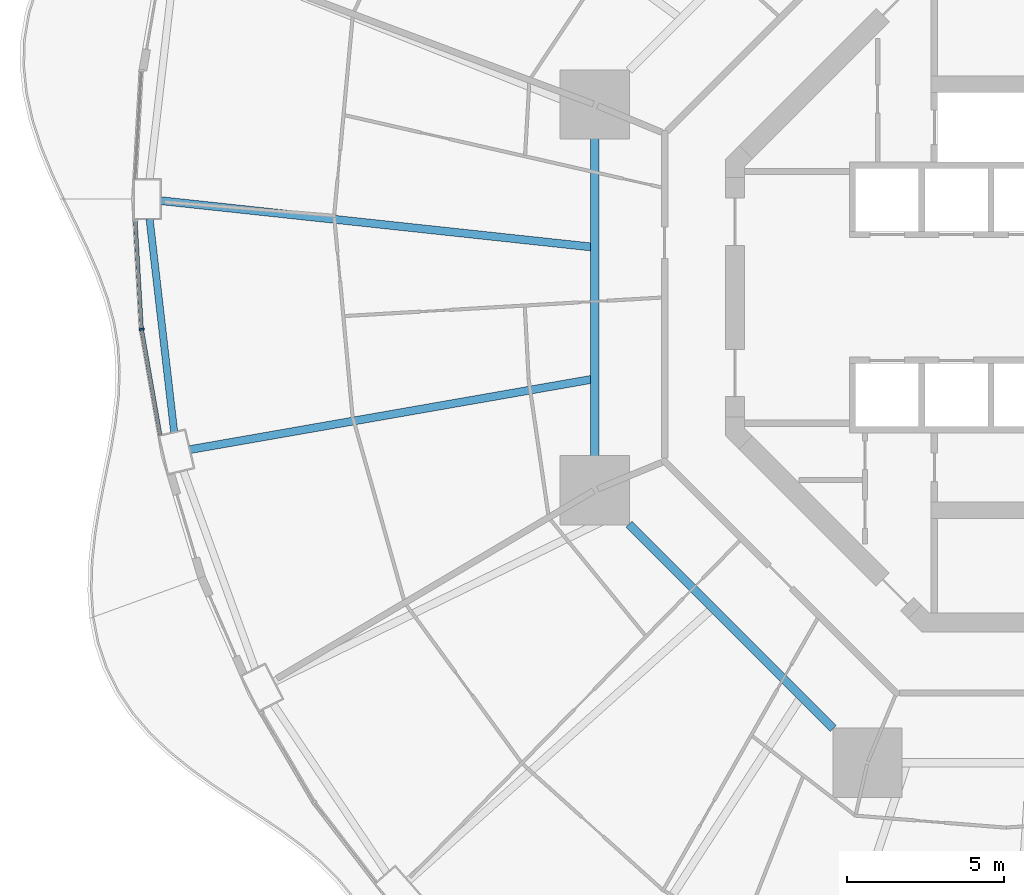
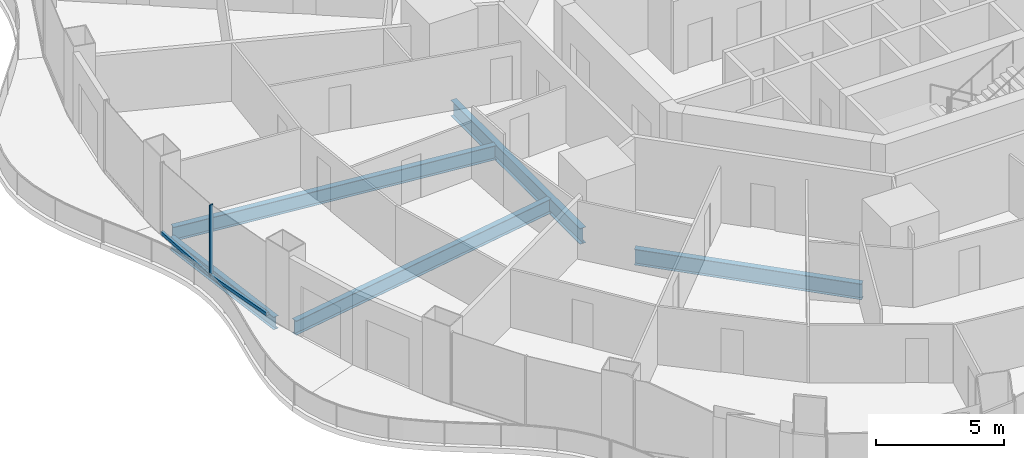
# One storey, part 4 of 22: 5 beams, 3 members, 2 elements without a shape of their own.
"""IFC4 building model written with IfcOpenShell, lengths in metres."""

import ifcopenshell
import ifcopenshell.guid

model = None  # the IFC model being written
_history = None  # IfcOwnerHistory: only IFC2X3 demands one
_inside = {}  # id of a spatial element -> (the spatial element, [elements in it])
_under = {}  # id of a project, library or spatial element -> (it, [spatial elements below it])
_declared = {}  # id of a project -> (the project, [libraries it declares])
_typed = {}  # id of a type object -> (the type object, [elements of that type])
_made_of = {}  # id of a material, layer set ... -> (it, [elements and type objects made of it])


def new_model(schema):
    """Start an empty IFC model of exactly this schema.

    Asked for "IFC4X3", IfcOpenShell would pick the latest addendum, in which some entities
    have other attributes; the version numbers below select the first issue.
    IFC2X3 requires an IfcOwnerHistory on every rooted entity: one is made here for all.
    """
    global model, _history
    if schema == "IFC4X3":
        model = ifcopenshell.file(schema_version=(4, 3, 0, 0))
    else:
        model = ifcopenshell.file(schema=schema)
    _inside.clear()
    _under.clear()
    _declared.clear()
    _typed.clear()
    _made_of.clear()
    _history = None
    if model.schema == "IFC2X3":
        org = make("IfcOrganization", Name="unknown")
        user = make(
            "IfcPersonAndOrganization",
            ThePerson=make("IfcPerson", FamilyName="unknown"),
            TheOrganization=org,
        )
        app = make(
            "IfcApplication",
            ApplicationDeveloper=org,
            Version="unknown",
            ApplicationFullName="unknown",
            ApplicationIdentifier="unknown",
        )
        _history = make(
            "IfcOwnerHistory",
            OwningUser=user,
            OwningApplication=app,
            ChangeAction="ADDED",
            CreationDate=0,
        )
    return model


def make(cls, **values):
    """One entity of the class cls with the attributes given. An attribute that is None is left unset."""
    return model.create_entity(
        cls, **{name: value for name, value in values.items() if value is not None}
    )


def rooted(cls, **values):
    """An entity with a GlobalId (a new one), such as an element, a storey or a relation."""
    return make(cls, GlobalId=ifcopenshell.guid.new(), OwnerHistory=_history, **values)


def si_unit(unit_type, name, prefix=None):
    """IfcSIUnit, for example si_unit("LENGTHUNIT", "METRE", prefix="MILLI")."""
    return make("IfcSIUnit", UnitType=unit_type, Prefix=prefix, Name=name)


def assignment(units):
    """IfcUnitAssignment: the units of a project."""
    return None if units is None else make("IfcUnitAssignment", Units=units)


def point(xyz):
    """IfcCartesianPoint."""
    return None if xyz is None else make("IfcCartesianPoint", Coordinates=xyz)


def direction(xyz):
    """IfcDirection."""
    return None if xyz is None else make("IfcDirection", DirectionRatios=xyz)


def frame(location, z_axis=None, x_axis=None):
    """IfcAxis2Placement3D, a coordinate frame: its origin and axes. An axis left out is left unset."""
    return make(
        "IfcAxis2Placement3D",
        Location=point(location),
        Axis=direction(z_axis),
        RefDirection=direction(x_axis),
    )


def frame_2d(location, x_axis=None):
    """IfcAxis2Placement2D, a coordinate frame in the plane: its origin and x axis."""
    return make(
        "IfcAxis2Placement2D", Location=point(location), RefDirection=direction(x_axis)
    )


def origin():
    """The frame at (0, 0, 0) with its axes left unset."""
    return frame((0.0, 0.0, 0.0))


def origin_2d():
    """The frame at (0, 0) in the plane with its x axis left unset."""
    return frame_2d((0.0, 0.0))


def place(relative_to, where):
    """IfcLocalPlacement: puts the frame where relative to a parent placement (None: the world)."""
    return make(
        "IfcLocalPlacement", PlacementRelTo=relative_to, RelativePlacement=where
    )


def context(
    kind, dimensions, precision=None, world=None, true_north=None, identifier=None
):
    """IfcGeometricRepresentationContext, for example the 3D "Model" context."""
    return make(
        "IfcGeometricRepresentationContext",
        ContextIdentifier=identifier,
        ContextType=kind,
        CoordinateSpaceDimension=dimensions,
        Precision=precision,
        WorldCoordinateSystem=world,
        TrueNorth=true_north,
    )


def subcontext(parent, identifier, kind, view, scale=None):
    """IfcGeometricRepresentationSubContext, for example "Body" below "Model"."""
    return make(
        "IfcGeometricRepresentationSubContext",
        ContextIdentifier=identifier,
        ContextType=kind,
        ParentContext=parent,
        TargetScale=scale,
        TargetView=view,
    )


def project(units=None, contexts=None):
    """IfcProject with its units and contexts."""
    return rooted(
        "IfcProject",
        Name="project",
        RepresentationContexts=contexts,
        UnitsInContext=assignment(units),
    )


def spatial(cls, under=None, at=None, **own):
    """A site, building, storey or space (cls), placed at a placement, below another one or the project."""
    s = rooted(cls, ObjectPlacement=at, **own)
    if under is not None:
        _under.setdefault(under.id(), (under, []))[1].append(s)
    return s


def profile(cls, at=None, kind="AREA", **sizes):
    """A parametric profile (cls). Its sizes go by their IFC names, for example OverallWidth=200.0."""
    return make(cls, ProfileType=kind, Position=at, **sizes)


def rectangle(**sizes):
    """IfcRectangleProfileDef."""
    return profile("IfcRectangleProfileDef", **sizes)


def i_section(**sizes):
    """IfcIShapeProfileDef."""
    return profile("IfcIShapeProfileDef", **sizes)


def extrude(swept, where, along, depth):
    """IfcExtrudedAreaSolid: the profile swept, set in the frame where, extruded along a direction by depth."""
    return make(
        "IfcExtrudedAreaSolid",
        SweptArea=swept,
        Position=where,
        ExtrudedDirection=direction(along),
        Depth=depth,
    )


def shape(context_of_items, identifier, shape_type, items):
    """IfcShapeRepresentation: the items that make up one representation, for example the "Body"."""
    return make(
        "IfcShapeRepresentation",
        ContextOfItems=context_of_items,
        RepresentationIdentifier=identifier,
        RepresentationType=shape_type,
        Items=items,
    )


def material(Name=None, Category=None):
    """IfcMaterial."""
    return make("IfcMaterial", Name=Name, Category=Category)


def layer(
    of_material, thickness, ventilated=None, Name=None, Category=None, Priority=None
):
    """IfcMaterialLayer: one layer of a wall or slab, of a material (None: an air gap)."""
    return make(
        "IfcMaterialLayer",
        Material=of_material,
        LayerThickness=thickness,
        IsVentilated=ventilated,
        Name=Name,
        Category=Category,
        Priority=Priority,
    )


def layer_set(layers, Name=None):
    """IfcMaterialLayerSet."""
    return make("IfcMaterialLayerSet", MaterialLayers=layers, LayerSetName=Name)


def material_profile(
    of_material, cross_section, Name=None, Category=None, Priority=None
):
    """IfcMaterialProfile: a cross section and its material."""
    return make(
        "IfcMaterialProfile",
        Name=Name,
        Material=of_material,
        Profile=cross_section,
        Priority=Priority,
        Category=Category,
    )


def profile_set(profiles, Name=None, composite=None):
    """IfcMaterialProfileSet."""
    return make(
        "IfcMaterialProfileSet",
        Name=Name,
        MaterialProfiles=profiles,
        CompositeProfile=composite,
    )


def made_of(thing, what):
    """Note that an element or type object is made of a material, layer set ...; save() writes the relation."""
    if what is not None:
        _made_of.setdefault(what.id(), (what, []))[1].append(thing)
    return thing


def type_object(cls, material=None, **own):
    """A type object (cls), such as IfcWallType, which elements share."""
    return made_of(rooted(cls, **own), material)


def element(
    cls,
    number,
    at=None,
    inside=None,
    cuts=None,
    type_object=None,
    material=None,
    context=None,
    identifier="Body",
    shape_type=None,
    held_by="IfcProductDefinitionShape",
    body=None,
    shapes=None,
    **own,
):
    """One element of the class cls, such as IfcWall. Its Tag is "e" and its number.

    at: its placement. inside: the storey or other place that contains it. cuts: it is an
    opening in that element (IfcRelVoidsElement). A single representation is given by context,
    identifier, shape_type and body (its items); several are given by shapes. held_by: the class
    of the entity that holds the representations. save() writes the other relations.
    """
    e = rooted(cls, Tag="e%d" % number, ObjectPlacement=at, **own)
    if body is not None:
        shapes = [shape(context, identifier, shape_type, body)]
    if shapes is not None:
        e.Representation = make(held_by, Representations=shapes)
    if inside is not None:
        _inside.setdefault(inside.id(), (inside, []))[1].append(e)
    if cuts is not None:
        rooted(
            "IfcRelVoidsElement", RelatingBuildingElement=cuts, RelatedOpeningElement=e
        )
    if type_object is not None:
        _typed.setdefault(type_object.id(), (type_object, []))[1].append(e)
    return made_of(e, material)


def aggregate(whole, parts):
    """IfcRelAggregates: a whole, such as a stair, and the parts it consists of."""
    return rooted("IfcRelAggregates", RelatingObject=whole, RelatedObjects=parts)


def save(model, path):
    """Write the relations noted so far, then the file.

    IfcRelAggregates (storeys below a building ...), IfcRelContainedInSpatialStructure (elements
    in a storey), IfcRelDefinesByType, IfcRelAssociatesMaterial and IfcRelDeclares: one each for
    every whole, place, type object, material and project.
    """
    for whole, parts in _under.values():
        aggregate(whole, parts)
    for where, things in _inside.values():
        rooted(
            "IfcRelContainedInSpatialStructure",
            RelatedElements=things,
            RelatingStructure=where,
        )
    for kind, things in _typed.values():
        rooted("IfcRelDefinesByType", RelatedObjects=things, RelatingType=kind)
    for what, things in _made_of.values():
        rooted("IfcRelAssociatesMaterial", RelatedObjects=things, RelatingMaterial=what)
    for by, libraries in _declared.values():
        rooted("IfcRelDeclares", RelatingContext=by, RelatedDefinitions=libraries)
    model.write(path)


model = new_model("IFC4")

# Units and contexts
model_context = context("Model", 3, precision=1e-05, world=origin(), true_north=direction((0.0, 1.0)))
body_context = subcontext(model_context, "Body", "Model", "MODEL_VIEW")
ifc_project = project(units=[si_unit("LENGTHUNIT", "METRE"), si_unit("AREAUNIT", "SQUARE_METRE"), si_unit("VOLUMEUNIT", "CUBIC_METRE"), si_unit("PLANEANGLEUNIT", "RADIAN"), si_unit("MASSUNIT", "GRAM", prefix="KILO")], contexts=[model_context])

# Site, building, storey
site_placement = place(None, origin())
site = spatial("IfcSite", under=ifc_project, at=site_placement, CompositionType="ELEMENT")
building_placement = place(site_placement, origin())
building = spatial("IfcBuilding", under=site, at=building_placement, Name="Nagisa Residences", CompositionType="ELEMENT")
storey_placement = place(building_placement, frame((0.0, 0.0, 84.39990234375)))
storey = spatial("IfcBuildingStorey", under=building, at=storey_placement, Name="L20", CompositionType="ELEMENT", Elevation=84.39990234375)

# Curtain wall, member
ifc_material_1 = material(Name="Concrete-coloured aluminium curtain wall system", Category="concrete")
ifc_layer = layer(ifc_material_1, 0.159912109375)
ifc_layer_set = layer_set([ifc_layer], Name="CW1 CURTAIN WALL")
curtain_wall_type = type_object("IfcCurtainWallType", Name="CW1 CURTAIN WALL", PredefinedType="NOTDEFINED", material=ifc_layer_set)
curtain_wall_1_placement = place(storey_placement, origin())
curtain_wall_1 = element("IfcCurtainWall", 1, at=curtain_wall_1_placement, inside=storey, type_object=curtain_wall_type, Name="cw:CW1:L20:25", PredefinedType="NOTDEFINED")
ifc_material_2 = material(Name="Concrete-coloured aluminium", Category="concrete")
ifc_material_profile_1 = material_profile(ifc_material_2, rectangle(XDim=0.159912109375, YDim=0.06005859375, at=origin_2d()), Name="CW1 MULLION 160x60")
ifc_profile_set_1 = profile_set([ifc_material_profile_1], Name="Concrete-coloured aluminium")
member_type_1 = type_object("IfcMemberType", Name="CW1 MULLION 160x60", PredefinedType="MULLION", material=ifc_profile_set_1)
member_1_placement = place(storey_placement, frame((-29.174072265625, -1.01171875, 0.0), z_axis=(0.0, 0.0, 1.0), x_axis=(0.985063604377, 0.172190868898, 0.0)))
member_1 = element("IfcMember", 2, at=member_1_placement, type_object=member_type_1, Name="CW1 mullion", PredefinedType="MULLION", context=body_context, shape_type="SweptSolid", body=[
    extrude(rectangle(XDim=0.159912109375, YDim=0.06005859375, at=origin_2d()), origin(), (0.0, 0.0, 1.0), 3.440185546875),
])

curtain_wall_2_placement = place(storey_placement, origin())
curtain_wall_2 = element("IfcCurtainWall", 3, at=curtain_wall_2_placement, inside=storey, type_object=curtain_wall_type, Name="cw:CW1:L20:24", PredefinedType="NOTDEFINED")
ifc_material_3 = material(Name="Concrete-coloured aluminium", Category="concrete")
ifc_material_profile_2 = material_profile(ifc_material_3, rectangle(XDim=0.1201171875, YDim=0.14990234375, at=origin_2d()), Name="CW1 TRANSOM 120x150")
ifc_profile_set_2 = profile_set([ifc_material_profile_2], Name="Concrete-coloured aluminium")
member_type_2 = type_object("IfcMemberType", Name="CW1 TRANSOM 120x150", PredefinedType="USERDEFINED", material=ifc_profile_set_2)
member_2_placement = place(storey_placement, frame((-29.377685546875, 2.473388671875, 0.0751953125), z_axis=(0.057476526179, -0.99834685803, 0.0), x_axis=(0.99834685803, 0.057476526179, 0.0)))
member_2 = element("IfcMember", 4, at=member_2_placement, type_object=member_type_2, Name="CW1 transom", ObjectType="TRANSOM", PredefinedType="USERDEFINED", context=body_context, shape_type="SweptSolid", body=[
    extrude(rectangle(XDim=0.1201171875, YDim=0.14990234375, at=origin_2d()), origin(), (0.0, 0.0, 1.0), 3.47021484375),
])
aggregate(curtain_wall_2, [member_2])

# Member
member_3_placement = place(storey_placement, frame((-29.17919921875, -0.982177734375, 0.0751953125), z_axis=(0.172164316671, -0.985068245385, 0.0), x_axis=(0.985068245385, 0.172164316671, 0.0)))
member_3 = element("IfcMember", 5, at=member_3_placement, type_object=member_type_2, Name="CW1 transom", ObjectType="TRANSOM", PredefinedType="USERDEFINED", context=body_context, shape_type="SweptSolid", body=[
    extrude(rectangle(XDim=0.1201171875, YDim=0.14990234375, at=origin_2d()), origin(), (0.0, 0.0, 1.0), 3.454345703125),
])

aggregate(curtain_wall_1, [member_1, member_3])

# Beams
ifc_material_4 = material(Name="Steel ASTM A572 Gr 50", Category="steel")
ifc_material_profile_3 = material_profile(ifc_material_4, i_section(OverallWidth=0.264892578125, OverallDepth=0.7529296875, WebThickness=0.01318359375, FlangeThickness=0.01708984375, at=origin_2d()), Name="W760x147")
ifc_profile_set_3 = profile_set([ifc_material_profile_3], Name="Steel ASTM A572 Gr 50")
beam_type_1 = type_object("IfcBeamType", Name="Inner ring beam W760x147", PredefinedType="BEAM", material=ifc_profile_set_3)
beam_1_placement = place(storey_placement, frame((-14.781982421875, 5.04296875, -0.636474609375), z_axis=(0.0, -1.0, 0.0), x_axis=(1.0, 0.0, 0.0)))
element("IfcBeam", 6, at=beam_1_placement, inside=storey, type_object=beam_type_1, Name="beam:L20:ib4", PredefinedType="BEAM", context=body_context, shape_type="SweptSolid", body=[
    extrude(i_section(OverallWidth=0.264892578125, OverallDepth=0.7529296875, WebThickness=0.01318359375, FlangeThickness=0.01708984375, at=origin_2d()), origin(), (0.0, 0.0, 1.0), 10.0859375),
])
beam_2_placement = place(storey_placement, frame((-13.6962890625, -7.208740234375, -0.636474609375), z_axis=(0.707106781187, -0.707106781187, 0.0), x_axis=(0.707106781187, 0.707106781187, 0.0)))
element("IfcBeam", 7, at=beam_2_placement, inside=storey, type_object=beam_type_1, Name="beam:L20:ib5", PredefinedType="BEAM", context=body_context, shape_type="SweptSolid", body=[
    extrude(i_section(OverallWidth=0.264892578125, OverallDepth=0.7529296875, WebThickness=0.01318359375, FlangeThickness=0.01708984375, at=origin_2d()), origin(), (0.0, 0.0, 1.0), 9.1748046875),
])
ifc_material_5 = material(Name="Steel ASTM A572 Gr 50", Category="steel")
ifc_material_profile_4 = material_profile(ifc_material_5, i_section(OverallWidth=0.22802734375, OverallDepth=0.60302734375, WebThickness=0.010498046875, FlangeThickness=0.014892578125, at=origin_2d()), Name="W610x101")
ifc_profile_set_4 = profile_set([ifc_material_profile_4], Name="Steel ASTM A572 Gr 50")
beam_type_2 = type_object("IfcBeamType", Name="Perimeter ring beam W610x101", PredefinedType="BEAM", material=ifc_profile_set_4)
beam_3_placement = place(storey_placement, frame((-28.92236328125, 2.487548828125, -0.5615234375), z_axis=(0.114690766503, -0.993401242237, 0.0), x_axis=(0.993401242237, 0.114690766503, 0.0)))
element("IfcBeam", 8, at=beam_3_placement, inside=storey, type_object=beam_type_2, Name="beam:L20:pb13", PredefinedType="BEAM", context=body_context, shape_type="SweptSolid", body=[
    extrude(i_section(OverallWidth=0.22802734375, OverallDepth=0.60302734375, WebThickness=0.010498046875, FlangeThickness=0.014892578125, at=origin_2d()), origin(), (0.0, 0.0, 1.0), 6.811767578125),
])
ifc_material_6 = material(Name="Steel ASTM A572 Gr 50", Category="steel")
ifc_material_profile_5 = material_profile(ifc_material_6, i_section(OverallWidth=0.2529296875, OverallDepth=0.677978515625, WebThickness=0.01171875, FlangeThickness=0.016357421875, at=origin_2d()), Name="W690x125")
ifc_profile_set_5 = profile_set([ifc_material_profile_5], Name="Steel ASTM A572 Gr 50")
beam_type_3 = type_object("IfcBeamType", Name="Radial beam W690x125", PredefinedType="BEAM", material=ifc_profile_set_5)
beam_4_placement = place(storey_placement, frame((-28.56494140625, 3.071533203125, -0.598876953125), z_axis=(0.99426817007, -0.10691494744, 0.0), x_axis=(0.10691494744, 0.99426817007, 0.0)))
element("IfcBeam", 9, at=beam_4_placement, inside=storey, type_object=beam_type_3, Name="beam:L20:rb13", PredefinedType="BEAM", context=body_context, shape_type="SweptSolid", body=[
    extrude(i_section(OverallWidth=0.2529296875, OverallDepth=0.677978515625, WebThickness=0.01171875, FlangeThickness=0.016357421875, at=origin_2d()), origin(), (0.0, 0.0, 1.0), 13.7490234375),
])
beam_5_placement = place(storey_placement, frame((-27.64404296875, -4.83544921875, -0.598876953125), z_axis=(0.985042235616, 0.172313069883, 0.0), x_axis=(-0.172313069883, 0.985042235616, 0.0)))
element("IfcBeam", 10, at=beam_5_placement, inside=storey, type_object=beam_type_3, Name="beam:L20:rb14", PredefinedType="BEAM", context=body_context, shape_type="SweptSolid", body=[
    extrude(i_section(OverallWidth=0.2529296875, OverallDepth=0.677978515625, WebThickness=0.01171875, FlangeThickness=0.016357421875, at=origin_2d()), origin(), (0.0, 0.0, 1.0), 12.94287109375),
])

save(model, "model.ifc")
